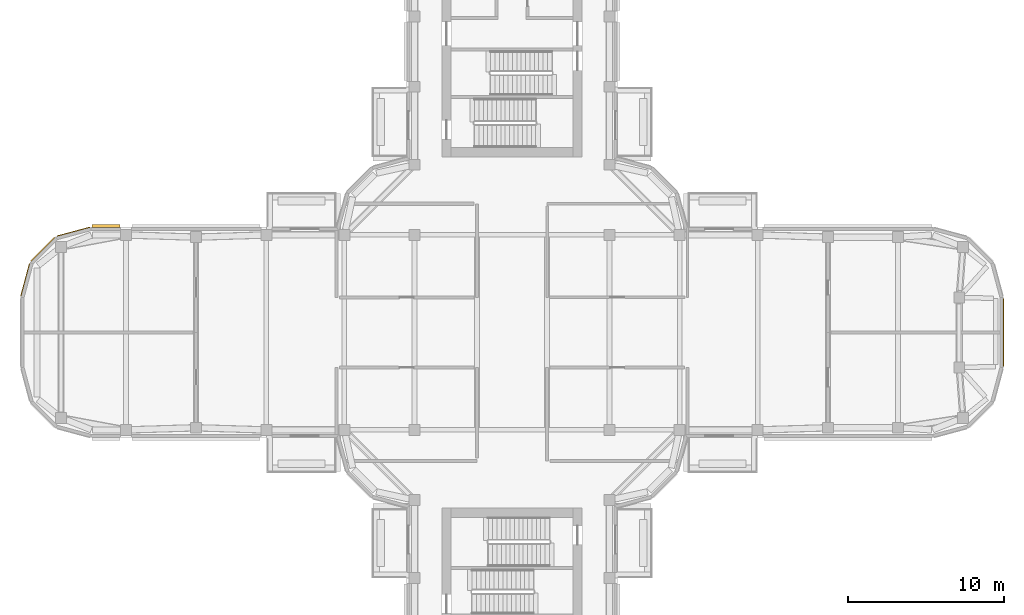
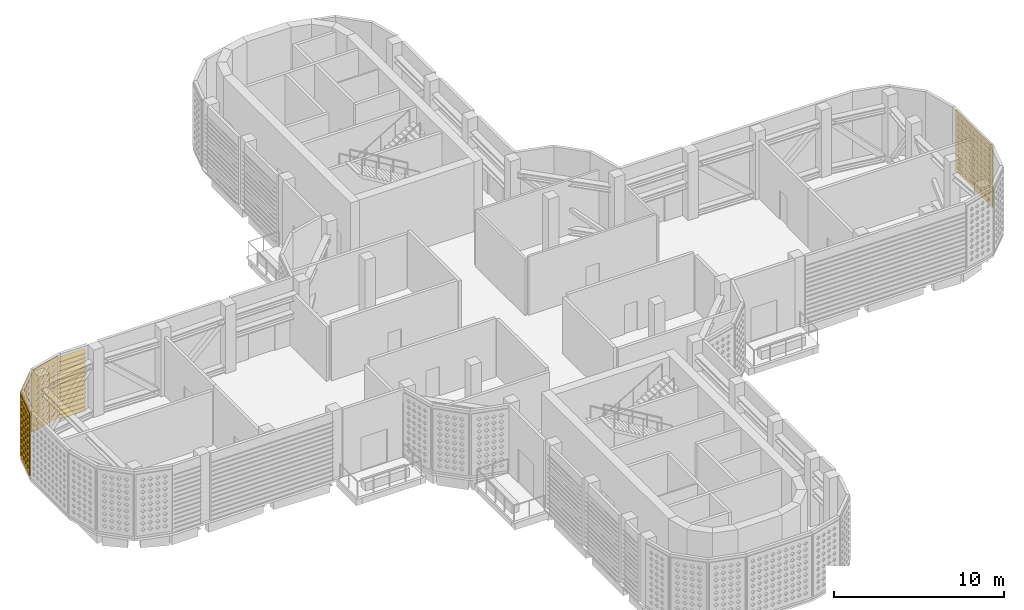
# One storey, part 15 of 20: 4 coverings, 1 shading device.
"""IFC4 building model written with IfcOpenShell, lengths in metres."""

from ifc_helpers import new_model, si_unit, direction, frame, origin, place, context, subcontext, project, spatial, polyline, outline, extrude, source, transform, mapped, material, layer, layer_set, type_object, element, save


model = new_model("IFC4")

# Units and contexts
model_context = context("Model", 3, precision=1e-05, world=origin(), true_north=direction((0.0, 1.0)))
body_context = subcontext(model_context, "Body", "Model", "MODEL_VIEW")
ifc_project = project(units=[si_unit("LENGTHUNIT", "METRE"), si_unit("AREAUNIT", "SQUARE_METRE"), si_unit("VOLUMEUNIT", "CUBIC_METRE"), si_unit("PLANEANGLEUNIT", "RADIAN"), si_unit("MASSUNIT", "GRAM", prefix="KILO")], contexts=[model_context])

# Site, building, storey
site_placement = place(None, origin())
site = spatial("IfcSite", under=ifc_project, at=site_placement, CompositionType="ELEMENT")
building_placement = place(site_placement, origin())
building = spatial("IfcBuilding", under=site, at=building_placement, Name="Zarbagh Exchange Tower", CompositionType="ELEMENT")
storey_placement = place(building_placement, frame((0.0, 0.0, 244.800048828125)))
storey = spatial("IfcBuildingStorey", under=building, at=storey_placement, Name="L60", CompositionType="ELEMENT", Elevation=244.800048828125)

# Coverings
ifc_material_1 = material(Name="Glass-fibre reinforced concrete GFRC C50/60", Category="concrete")
ifc_layer = layer(ifc_material_1, 0.06005859375)
ifc_layer_set = layer_set([ifc_layer], Name="SCREEN jali panel, GFRC")
covering_type = type_object("IfcCoveringType", Name="SCREEN jali panel, GFRC", PredefinedType="CLADDING", material=ifc_layer_set)
shared_shape_1 = source(origin(), body_context, "Body", "SweptSolid", [
    extrude(outline(polyline([(0.0, 0.0), (2.1650390625, 0.0), (2.1650390625, 4.449951171875), (0.0, 4.449951171875), (0.0, 0.0)]), holes=[polyline([(0.257568359375, 0.425048828125), (0.407470703125, 0.27490234375), (0.5576171875, 0.425048828125), (0.407470703125, 0.574951171875), (0.257568359375, 0.425048828125)]), polyline([(0.257568359375, 0.875), (0.407470703125, 0.72509765625), (0.5576171875, 0.875), (0.407470703125, 1.02490234375), (0.257568359375, 0.875)]), polyline([(0.257568359375, 1.324951171875), (0.407470703125, 1.175048828125), (0.5576171875, 1.324951171875), (0.407470703125, 1.47509765625), (0.257568359375, 1.324951171875)]), polyline([(0.257568359375, 1.77490234375), (0.407470703125, 1.625), (0.5576171875, 1.77490234375), (0.407470703125, 1.925048828125), (0.257568359375, 1.77490234375)]), polyline([(0.257568359375, 2.22509765625), (0.407470703125, 2.074951171875), (0.5576171875, 2.22509765625), (0.407470703125, 2.375), (0.257568359375, 2.22509765625)]), polyline([(0.257568359375, 2.675048828125), (0.407470703125, 2.52490234375), (0.5576171875, 2.675048828125), (0.407470703125, 2.824951171875), (0.257568359375, 2.675048828125)]), polyline([(0.257568359375, 3.125), (0.407470703125, 2.97509765625), (0.5576171875, 3.125), (0.407470703125, 3.27490234375), (0.257568359375, 3.125)]), polyline([(0.257568359375, 3.574951171875), (0.407470703125, 3.425048828125), (0.5576171875, 3.574951171875), (0.407470703125, 3.72509765625), (0.257568359375, 3.574951171875)]), polyline([(0.257568359375, 4.02490234375), (0.407470703125, 3.875), (0.5576171875, 4.02490234375), (0.407470703125, 4.175048828125), (0.257568359375, 4.02490234375)]), polyline([(0.70751953125, 0.425048828125), (0.857421875, 0.27490234375), (1.007568359375, 0.425048828125), (0.857421875, 0.574951171875), (0.70751953125, 0.425048828125)]), polyline([(0.70751953125, 0.875), (0.857421875, 0.72509765625), (1.007568359375, 0.875), (0.857421875, 1.02490234375), (0.70751953125, 0.875)]), polyline([(0.70751953125, 1.324951171875), (0.857421875, 1.175048828125), (1.007568359375, 1.324951171875), (0.857421875, 1.47509765625), (0.70751953125, 1.324951171875)]), polyline([(0.70751953125, 1.77490234375), (0.857421875, 1.625), (1.007568359375, 1.77490234375), (0.857421875, 1.925048828125), (0.70751953125, 1.77490234375)]), polyline([(0.70751953125, 2.22509765625), (0.857421875, 2.074951171875), (1.007568359375, 2.22509765625), (0.857421875, 2.375), (0.70751953125, 2.22509765625)]), polyline([(0.70751953125, 2.675048828125), (0.857421875, 2.52490234375), (1.007568359375, 2.675048828125), (0.857421875, 2.824951171875), (0.70751953125, 2.675048828125)]), polyline([(0.70751953125, 3.125), (0.857421875, 2.97509765625), (1.007568359375, 3.125), (0.857421875, 3.27490234375), (0.70751953125, 3.125)]), polyline([(0.70751953125, 3.574951171875), (0.857421875, 3.425048828125), (1.007568359375, 3.574951171875), (0.857421875, 3.72509765625), (0.70751953125, 3.574951171875)]), polyline([(0.70751953125, 4.02490234375), (0.857421875, 3.875), (1.007568359375, 4.02490234375), (0.857421875, 4.175048828125), (0.70751953125, 4.02490234375)]), polyline([(1.157470703125, 0.425048828125), (1.3076171875, 0.27490234375), (1.45751953125, 0.425048828125), (1.3076171875, 0.574951171875), (1.157470703125, 0.425048828125)]), polyline([(1.157470703125, 0.875), (1.3076171875, 0.72509765625), (1.45751953125, 0.875), (1.3076171875, 1.02490234375), (1.157470703125, 0.875)]), polyline([(1.157470703125, 1.324951171875), (1.3076171875, 1.175048828125), (1.45751953125, 1.324951171875), (1.3076171875, 1.47509765625), (1.157470703125, 1.324951171875)]), polyline([(1.157470703125, 1.77490234375), (1.3076171875, 1.625), (1.45751953125, 1.77490234375), (1.3076171875, 1.925048828125), (1.157470703125, 1.77490234375)]), polyline([(1.157470703125, 2.22509765625), (1.3076171875, 2.074951171875), (1.45751953125, 2.22509765625), (1.3076171875, 2.375), (1.157470703125, 2.22509765625)]), polyline([(1.157470703125, 2.675048828125), (1.3076171875, 2.52490234375), (1.45751953125, 2.675048828125), (1.3076171875, 2.824951171875), (1.157470703125, 2.675048828125)]), polyline([(1.157470703125, 3.125), (1.3076171875, 2.97509765625), (1.45751953125, 3.125), (1.3076171875, 3.27490234375), (1.157470703125, 3.125)]), polyline([(1.157470703125, 3.574951171875), (1.3076171875, 3.425048828125), (1.45751953125, 3.574951171875), (1.3076171875, 3.72509765625), (1.157470703125, 3.574951171875)]), polyline([(1.157470703125, 4.02490234375), (1.3076171875, 3.875), (1.45751953125, 4.02490234375), (1.3076171875, 4.175048828125), (1.157470703125, 4.02490234375)]), polyline([(1.607421875, 0.425048828125), (1.757568359375, 0.27490234375), (1.907470703125, 0.425048828125), (1.757568359375, 0.574951171875), (1.607421875, 0.425048828125)]), polyline([(1.607421875, 0.875), (1.757568359375, 0.72509765625), (1.907470703125, 0.875), (1.757568359375, 1.02490234375), (1.607421875, 0.875)]), polyline([(1.607421875, 1.324951171875), (1.757568359375, 1.175048828125), (1.907470703125, 1.324951171875), (1.757568359375, 1.47509765625), (1.607421875, 1.324951171875)]), polyline([(1.607421875, 1.77490234375), (1.757568359375, 1.625), (1.907470703125, 1.77490234375), (1.757568359375, 1.925048828125), (1.607421875, 1.77490234375)]), polyline([(1.607421875, 2.22509765625), (1.757568359375, 2.074951171875), (1.907470703125, 2.22509765625), (1.757568359375, 2.375), (1.607421875, 2.22509765625)]), polyline([(1.607421875, 2.675048828125), (1.757568359375, 2.52490234375), (1.907470703125, 2.675048828125), (1.757568359375, 2.824951171875), (1.607421875, 2.675048828125)]), polyline([(1.607421875, 3.125), (1.757568359375, 2.97509765625), (1.907470703125, 3.125), (1.757568359375, 3.27490234375), (1.607421875, 3.125)]), polyline([(1.607421875, 3.574951171875), (1.757568359375, 3.425048828125), (1.907470703125, 3.574951171875), (1.757568359375, 3.72509765625), (1.607421875, 3.574951171875)]), polyline([(1.607421875, 4.02490234375), (1.757568359375, 3.875), (1.907470703125, 4.02490234375), (1.757568359375, 4.175048828125), (1.607421875, 4.02490234375)])]), origin(), (0.0, 0.0, 1.0), 0.06005859375),
])
placement = place(storey_placement, origin())
element("IfcCovering", 1, at=placement, inside=storey, type_object=covering_type, Name="JS59 jali screen", PredefinedType="CLADDING", context=body_context, shape_type="MappedRepresentation", body=[
    mapped(shared_shape_1, transform((-29.2939453125, 6.074951171875, 0.199951171875), x_axis=(-0.707106781187, -0.707106781187, 0.0), y_axis=(0.0, 0.0, 1.0), z_axis=(-0.707106781187, 0.707106781187, 0.0))),
])
shared_shape_2 = source(origin(), body_context, "Body", "SweptSolid", [
    extrude(outline(polyline([(0.0, 0.0), (2.181396484375, 0.0), (2.181396484375, 4.449951171875), (0.0, 4.449951171875), (0.0, 0.0)]), holes=[polyline([(0.265625, 0.425048828125), (0.415771484375, 0.27490234375), (0.565673828125, 0.425048828125), (0.415771484375, 0.574951171875), (0.265625, 0.425048828125)]), polyline([(0.265625, 0.875), (0.415771484375, 0.72509765625), (0.565673828125, 0.875), (0.415771484375, 1.02490234375), (0.265625, 0.875)]), polyline([(0.265625, 1.324951171875), (0.415771484375, 1.175048828125), (0.565673828125, 1.324951171875), (0.415771484375, 1.47509765625), (0.265625, 1.324951171875)]), polyline([(0.265625, 1.77490234375), (0.415771484375, 1.625), (0.565673828125, 1.77490234375), (0.415771484375, 1.925048828125), (0.265625, 1.77490234375)]), polyline([(0.265625, 2.22509765625), (0.415771484375, 2.074951171875), (0.565673828125, 2.22509765625), (0.415771484375, 2.375), (0.265625, 2.22509765625)]), polyline([(0.265625, 2.675048828125), (0.415771484375, 2.52490234375), (0.565673828125, 2.675048828125), (0.415771484375, 2.824951171875), (0.265625, 2.675048828125)]), polyline([(0.265625, 3.125), (0.415771484375, 2.97509765625), (0.565673828125, 3.125), (0.415771484375, 3.27490234375), (0.265625, 3.125)]), polyline([(0.265625, 3.574951171875), (0.415771484375, 3.425048828125), (0.565673828125, 3.574951171875), (0.415771484375, 3.72509765625), (0.265625, 3.574951171875)]), polyline([(0.265625, 4.02490234375), (0.415771484375, 3.875), (0.565673828125, 4.02490234375), (0.415771484375, 4.175048828125), (0.265625, 4.02490234375)]), polyline([(0.7158203125, 0.425048828125), (0.86572265625, 0.27490234375), (1.015625, 0.425048828125), (0.86572265625, 0.574951171875), (0.7158203125, 0.425048828125)]), polyline([(0.7158203125, 0.875), (0.86572265625, 0.72509765625), (1.015625, 0.875), (0.86572265625, 1.02490234375), (0.7158203125, 0.875)]), polyline([(0.7158203125, 1.324951171875), (0.86572265625, 1.175048828125), (1.015625, 1.324951171875), (0.86572265625, 1.47509765625), (0.7158203125, 1.324951171875)]), polyline([(0.7158203125, 1.77490234375), (0.86572265625, 1.625), (1.015625, 1.77490234375), (0.86572265625, 1.925048828125), (0.7158203125, 1.77490234375)]), polyline([(0.7158203125, 2.22509765625), (0.86572265625, 2.074951171875), (1.015625, 2.22509765625), (0.86572265625, 2.375), (0.7158203125, 2.22509765625)]), polyline([(0.7158203125, 2.675048828125), (0.86572265625, 2.52490234375), (1.015625, 2.675048828125), (0.86572265625, 2.824951171875), (0.7158203125, 2.675048828125)]), polyline([(0.7158203125, 3.125), (0.86572265625, 2.97509765625), (1.015625, 3.125), (0.86572265625, 3.27490234375), (0.7158203125, 3.125)]), polyline([(0.7158203125, 3.574951171875), (0.86572265625, 3.425048828125), (1.015625, 3.574951171875), (0.86572265625, 3.72509765625), (0.7158203125, 3.574951171875)]), polyline([(0.7158203125, 4.02490234375), (0.86572265625, 3.875), (1.015625, 4.02490234375), (0.86572265625, 4.175048828125), (0.7158203125, 4.02490234375)]), polyline([(1.165771484375, 0.425048828125), (1.315673828125, 0.27490234375), (1.4658203125, 0.425048828125), (1.315673828125, 0.574951171875), (1.165771484375, 0.425048828125)]), polyline([(1.165771484375, 0.875), (1.315673828125, 0.72509765625), (1.4658203125, 0.875), (1.315673828125, 1.02490234375), (1.165771484375, 0.875)]), polyline([(1.165771484375, 1.324951171875), (1.315673828125, 1.175048828125), (1.4658203125, 1.324951171875), (1.315673828125, 1.47509765625), (1.165771484375, 1.324951171875)]), polyline([(1.165771484375, 1.77490234375), (1.315673828125, 1.625), (1.4658203125, 1.77490234375), (1.315673828125, 1.925048828125), (1.165771484375, 1.77490234375)]), polyline([(1.165771484375, 2.22509765625), (1.315673828125, 2.074951171875), (1.4658203125, 2.22509765625), (1.315673828125, 2.375), (1.165771484375, 2.22509765625)]), polyline([(1.165771484375, 2.675048828125), (1.315673828125, 2.52490234375), (1.4658203125, 2.675048828125), (1.315673828125, 2.824951171875), (1.165771484375, 2.675048828125)]), polyline([(1.165771484375, 3.125), (1.315673828125, 2.97509765625), (1.4658203125, 3.125), (1.315673828125, 3.27490234375), (1.165771484375, 3.125)]), polyline([(1.165771484375, 3.574951171875), (1.315673828125, 3.425048828125), (1.4658203125, 3.574951171875), (1.315673828125, 3.72509765625), (1.165771484375, 3.574951171875)]), polyline([(1.165771484375, 4.02490234375), (1.315673828125, 3.875), (1.4658203125, 4.02490234375), (1.315673828125, 4.175048828125), (1.165771484375, 4.02490234375)]), polyline([(1.61572265625, 0.425048828125), (1.765625, 0.27490234375), (1.915771484375, 0.425048828125), (1.765625, 0.574951171875), (1.61572265625, 0.425048828125)]), polyline([(1.61572265625, 0.875), (1.765625, 0.72509765625), (1.915771484375, 0.875), (1.765625, 1.02490234375), (1.61572265625, 0.875)]), polyline([(1.61572265625, 1.324951171875), (1.765625, 1.175048828125), (1.915771484375, 1.324951171875), (1.765625, 1.47509765625), (1.61572265625, 1.324951171875)]), polyline([(1.61572265625, 1.77490234375), (1.765625, 1.625), (1.915771484375, 1.77490234375), (1.765625, 1.925048828125), (1.61572265625, 1.77490234375)]), polyline([(1.61572265625, 2.22509765625), (1.765625, 2.074951171875), (1.915771484375, 2.22509765625), (1.765625, 2.375), (1.61572265625, 2.22509765625)]), polyline([(1.61572265625, 2.675048828125), (1.765625, 2.52490234375), (1.915771484375, 2.675048828125), (1.765625, 2.824951171875), (1.61572265625, 2.675048828125)]), polyline([(1.61572265625, 3.125), (1.765625, 2.97509765625), (1.915771484375, 3.125), (1.765625, 3.27490234375), (1.61572265625, 3.125)]), polyline([(1.61572265625, 3.574951171875), (1.765625, 3.425048828125), (1.915771484375, 3.574951171875), (1.765625, 3.72509765625), (1.61572265625, 3.574951171875)]), polyline([(1.61572265625, 4.02490234375), (1.765625, 3.875), (1.915771484375, 4.02490234375), (1.765625, 4.175048828125), (1.61572265625, 4.02490234375)])]), origin(), (0.0, 0.0, 1.0), 0.06005859375),
])
element("IfcCovering", 2, at=placement, inside=storey, type_object=covering_type, Name="JS58 jali screen", PredefinedType="CLADDING", context=body_context, shape_type="MappedRepresentation", body=[
    mapped(shared_shape_2, transform((-27.058349609375, 6.713623046875, 0.199951171875), x_axis=(-0.965924215207, -0.258825057666, 0.0), y_axis=(0.0, 0.0, 1.0), z_axis=(-0.258825057666, 0.965924215207, 0.0))),
])
element("IfcCovering", 3, at=placement, inside=storey, type_object=covering_type, Name="JS60 jali screen", PredefinedType="CLADDING", context=body_context, shape_type="MappedRepresentation", body=[
    mapped(shared_shape_2, transform((-30.89892578125, 4.41552734375, 0.199951171875), x_axis=(-0.258825057666, -0.965924215207, 0.0), y_axis=(0.0, 0.0, 1.0), z_axis=(-0.965924215207, 0.258825057666, 0.0))),
])

# Shading device
ifc_material_2 = material(Name="Anodised aluminium", Category="aluminium")
shading_device_type = type_object("IfcShadingDeviceType", Name="LOUVRE plant louvre, fixed blades", PredefinedType="USERDEFINED", material=ifc_material_2)
shared_shape_3 = source(origin(), body_context, "Body", "SweptSolid", [
    extrude(outline(polyline([(0.0, 0.199951171875), (0.199951171875, 0.0), (0.199951171875, -0.02001953125), (0.0, 0.179931640625), (0.0, 0.199951171875)])), origin(), (0.0, 0.0, 1.0), 1.794189453125),
])
element("IfcShadingDevice", 4, at=placement, inside=storey, type_object=shading_device_type, Name="LV14 plant louvre", ObjectType="LOUVRE", PredefinedType="USERDEFINED", context=body_context, shape_type="MappedRepresentation", body=[
    mapped(shared_shape_3, transform((-25.14013671875, 6.72998046875, 0.199951171875), x_axis=(0.0, 1.0, 0.0), y_axis=(0.0, 0.0, -1.0), z_axis=(-1.0, 0.0, 0.0))),
    mapped(shared_shape_3, transform((-25.14013671875, 6.72998046875, 0.517822265625), x_axis=(0.0, 1.0, 0.0), y_axis=(0.0, 0.0, -1.0), z_axis=(-1.0, 0.0, 0.0))),
    mapped(shared_shape_3, transform((-25.14013671875, 6.72998046875, 0.835693359375), x_axis=(0.0, 1.0, 0.0), y_axis=(0.0, 0.0, -1.0), z_axis=(-1.0, 0.0, 0.0))),
    mapped(shared_shape_3, transform((-25.14013671875, 6.72998046875, 1.153564453125), x_axis=(0.0, 1.0, 0.0), y_axis=(0.0, 0.0, -1.0), z_axis=(-1.0, 0.0, 0.0))),
    mapped(shared_shape_3, transform((-25.14013671875, 6.72998046875, 1.471435546875), x_axis=(0.0, 1.0, 0.0), y_axis=(0.0, 0.0, -1.0), z_axis=(-1.0, 0.0, 0.0))),
    mapped(shared_shape_3, transform((-25.14013671875, 6.72998046875, 1.789306640625), x_axis=(0.0, 1.0, 0.0), y_axis=(0.0, 0.0, -1.0), z_axis=(-1.0, 0.0, 0.0))),
    mapped(shared_shape_3, transform((-25.14013671875, 6.72998046875, 2.107177734375), x_axis=(0.0, 1.0, 0.0), y_axis=(0.0, 0.0, -1.0), z_axis=(-1.0, 0.0, 0.0))),
    mapped(shared_shape_3, transform((-25.14013671875, 6.72998046875, 2.425048828125), x_axis=(0.0, 1.0, 0.0), y_axis=(0.0, 0.0, -1.0), z_axis=(-1.0, 0.0, 0.0))),
    mapped(shared_shape_3, transform((-25.14013671875, 6.72998046875, 2.742919921875), x_axis=(0.0, 1.0, 0.0), y_axis=(0.0, 0.0, -1.0), z_axis=(-1.0, 0.0, 0.0))),
    mapped(shared_shape_3, transform((-25.14013671875, 6.72998046875, 3.060546875), x_axis=(0.0, 1.0, 0.0), y_axis=(0.0, 0.0, -1.0), z_axis=(-1.0, 0.0, 0.0))),
    mapped(shared_shape_3, transform((-25.14013671875, 6.72998046875, 3.37841796875), x_axis=(0.0, 1.0, 0.0), y_axis=(0.0, 0.0, -1.0), z_axis=(-1.0, 0.0, 0.0))),
    mapped(shared_shape_3, transform((-25.14013671875, 6.72998046875, 3.6962890625), x_axis=(0.0, 1.0, 0.0), y_axis=(0.0, 0.0, -1.0), z_axis=(-1.0, 0.0, 0.0))),
    mapped(shared_shape_3, transform((-25.14013671875, 6.72998046875, 4.01416015625), x_axis=(0.0, 1.0, 0.0), y_axis=(0.0, 0.0, -1.0), z_axis=(-1.0, 0.0, 0.0))),
    mapped(shared_shape_3, transform((-25.14013671875, 6.72998046875, 4.33203125), x_axis=(0.0, 1.0, 0.0), y_axis=(0.0, 0.0, -1.0), z_axis=(-1.0, 0.0, 0.0))),
])

# Covering
shared_shape_4 = source(origin(), body_context, "Body", "SweptSolid", [
    extrude(outline(polyline([(0.0, 0.0), (4.368408203125, 0.0), (4.368408203125, 4.449951171875), (0.0, 4.449951171875), (0.0, 0.0)]), holes=[polyline([(0.234130859375, 0.425048828125), (0.38427734375, 0.27490234375), (0.5341796875, 0.425048828125), (0.38427734375, 0.574951171875), (0.234130859375, 0.425048828125)]), polyline([(0.234130859375, 0.875), (0.38427734375, 0.72509765625), (0.5341796875, 0.875), (0.38427734375, 1.02490234375), (0.234130859375, 0.875)]), polyline([(0.234130859375, 1.324951171875), (0.38427734375, 1.175048828125), (0.5341796875, 1.324951171875), (0.38427734375, 1.47509765625), (0.234130859375, 1.324951171875)]), polyline([(0.234130859375, 1.77490234375), (0.38427734375, 1.625), (0.5341796875, 1.77490234375), (0.38427734375, 1.925048828125), (0.234130859375, 1.77490234375)]), polyline([(0.234130859375, 2.22509765625), (0.38427734375, 2.074951171875), (0.5341796875, 2.22509765625), (0.38427734375, 2.375), (0.234130859375, 2.22509765625)]), polyline([(0.234130859375, 2.675048828125), (0.38427734375, 2.52490234375), (0.5341796875, 2.675048828125), (0.38427734375, 2.824951171875), (0.234130859375, 2.675048828125)]), polyline([(0.234130859375, 3.125), (0.38427734375, 2.97509765625), (0.5341796875, 3.125), (0.38427734375, 3.27490234375), (0.234130859375, 3.125)]), polyline([(0.234130859375, 3.574951171875), (0.38427734375, 3.425048828125), (0.5341796875, 3.574951171875), (0.38427734375, 3.72509765625), (0.234130859375, 3.574951171875)]), polyline([(0.234130859375, 4.02490234375), (0.38427734375, 3.875), (0.5341796875, 4.02490234375), (0.38427734375, 4.175048828125), (0.234130859375, 4.02490234375)]), polyline([(0.68408203125, 0.425048828125), (0.834228515625, 0.27490234375), (0.984130859375, 0.425048828125), (0.834228515625, 0.574951171875), (0.68408203125, 0.425048828125)]), polyline([(0.68408203125, 0.875), (0.834228515625, 0.72509765625), (0.984130859375, 0.875), (0.834228515625, 1.02490234375), (0.68408203125, 0.875)]), polyline([(0.68408203125, 1.324951171875), (0.834228515625, 1.175048828125), (0.984130859375, 1.324951171875), (0.834228515625, 1.47509765625), (0.68408203125, 1.324951171875)]), polyline([(0.68408203125, 1.77490234375), (0.834228515625, 1.625), (0.984130859375, 1.77490234375), (0.834228515625, 1.925048828125), (0.68408203125, 1.77490234375)]), polyline([(0.68408203125, 2.22509765625), (0.834228515625, 2.074951171875), (0.984130859375, 2.22509765625), (0.834228515625, 2.375), (0.68408203125, 2.22509765625)]), polyline([(0.68408203125, 2.675048828125), (0.834228515625, 2.52490234375), (0.984130859375, 2.675048828125), (0.834228515625, 2.824951171875), (0.68408203125, 2.675048828125)]), polyline([(0.68408203125, 3.125), (0.834228515625, 2.97509765625), (0.984130859375, 3.125), (0.834228515625, 3.27490234375), (0.68408203125, 3.125)]), polyline([(0.68408203125, 3.574951171875), (0.834228515625, 3.425048828125), (0.984130859375, 3.574951171875), (0.834228515625, 3.72509765625), (0.68408203125, 3.574951171875)]), polyline([(0.68408203125, 4.02490234375), (0.834228515625, 3.875), (0.984130859375, 4.02490234375), (0.834228515625, 4.175048828125), (0.68408203125, 4.02490234375)]), polyline([(1.13427734375, 0.425048828125), (1.2841796875, 0.27490234375), (1.43408203125, 0.425048828125), (1.2841796875, 0.574951171875), (1.13427734375, 0.425048828125)]), polyline([(1.13427734375, 0.875), (1.2841796875, 0.72509765625), (1.43408203125, 0.875), (1.2841796875, 1.02490234375), (1.13427734375, 0.875)]), polyline([(1.13427734375, 1.324951171875), (1.2841796875, 1.175048828125), (1.43408203125, 1.324951171875), (1.2841796875, 1.47509765625), (1.13427734375, 1.324951171875)]), polyline([(1.13427734375, 1.77490234375), (1.2841796875, 1.625), (1.43408203125, 1.77490234375), (1.2841796875, 1.925048828125), (1.13427734375, 1.77490234375)]), polyline([(1.13427734375, 2.22509765625), (1.2841796875, 2.074951171875), (1.43408203125, 2.22509765625), (1.2841796875, 2.375), (1.13427734375, 2.22509765625)]), polyline([(1.13427734375, 2.675048828125), (1.2841796875, 2.52490234375), (1.43408203125, 2.675048828125), (1.2841796875, 2.824951171875), (1.13427734375, 2.675048828125)]), polyline([(1.13427734375, 3.125), (1.2841796875, 2.97509765625), (1.43408203125, 3.125), (1.2841796875, 3.27490234375), (1.13427734375, 3.125)]), polyline([(1.13427734375, 3.574951171875), (1.2841796875, 3.425048828125), (1.43408203125, 3.574951171875), (1.2841796875, 3.72509765625), (1.13427734375, 3.574951171875)]), polyline([(1.13427734375, 4.02490234375), (1.2841796875, 3.875), (1.43408203125, 4.02490234375), (1.2841796875, 4.175048828125), (1.13427734375, 4.02490234375)]), polyline([(1.584228515625, 0.425048828125), (1.734130859375, 0.27490234375), (1.88427734375, 0.425048828125), (1.734130859375, 0.574951171875), (1.584228515625, 0.425048828125)]), polyline([(1.584228515625, 0.875), (1.734130859375, 0.72509765625), (1.88427734375, 0.875), (1.734130859375, 1.02490234375), (1.584228515625, 0.875)]), polyline([(1.584228515625, 1.324951171875), (1.734130859375, 1.175048828125), (1.88427734375, 1.324951171875), (1.734130859375, 1.47509765625), (1.584228515625, 1.324951171875)]), polyline([(1.584228515625, 1.77490234375), (1.734130859375, 1.625), (1.88427734375, 1.77490234375), (1.734130859375, 1.925048828125), (1.584228515625, 1.77490234375)]), polyline([(1.584228515625, 2.22509765625), (1.734130859375, 2.074951171875), (1.88427734375, 2.22509765625), (1.734130859375, 2.375), (1.584228515625, 2.22509765625)]), polyline([(1.584228515625, 2.675048828125), (1.734130859375, 2.52490234375), (1.88427734375, 2.675048828125), (1.734130859375, 2.824951171875), (1.584228515625, 2.675048828125)]), polyline([(1.584228515625, 3.125), (1.734130859375, 2.97509765625), (1.88427734375, 3.125), (1.734130859375, 3.27490234375), (1.584228515625, 3.125)]), polyline([(1.584228515625, 3.574951171875), (1.734130859375, 3.425048828125), (1.88427734375, 3.574951171875), (1.734130859375, 3.72509765625), (1.584228515625, 3.574951171875)]), polyline([(1.584228515625, 4.02490234375), (1.734130859375, 3.875), (1.88427734375, 4.02490234375), (1.734130859375, 4.175048828125), (1.584228515625, 4.02490234375)]), polyline([(2.0341796875, 0.425048828125), (2.18408203125, 0.27490234375), (2.334228515625, 0.425048828125), (2.18408203125, 0.574951171875), (2.0341796875, 0.425048828125)]), polyline([(2.0341796875, 0.875), (2.18408203125, 0.72509765625), (2.334228515625, 0.875), (2.18408203125, 1.02490234375), (2.0341796875, 0.875)]), polyline([(2.0341796875, 1.324951171875), (2.18408203125, 1.175048828125), (2.334228515625, 1.324951171875), (2.18408203125, 1.47509765625), (2.0341796875, 1.324951171875)]), polyline([(2.0341796875, 1.77490234375), (2.18408203125, 1.625), (2.334228515625, 1.77490234375), (2.18408203125, 1.925048828125), (2.0341796875, 1.77490234375)]), polyline([(2.0341796875, 2.22509765625), (2.18408203125, 2.074951171875), (2.334228515625, 2.22509765625), (2.18408203125, 2.375), (2.0341796875, 2.22509765625)]), polyline([(2.0341796875, 2.675048828125), (2.18408203125, 2.52490234375), (2.334228515625, 2.675048828125), (2.18408203125, 2.824951171875), (2.0341796875, 2.675048828125)]), polyline([(2.0341796875, 3.125), (2.18408203125, 2.97509765625), (2.334228515625, 3.125), (2.18408203125, 3.27490234375), (2.0341796875, 3.125)]), polyline([(2.0341796875, 3.574951171875), (2.18408203125, 3.425048828125), (2.334228515625, 3.574951171875), (2.18408203125, 3.72509765625), (2.0341796875, 3.574951171875)]), polyline([(2.0341796875, 4.02490234375), (2.18408203125, 3.875), (2.334228515625, 4.02490234375), (2.18408203125, 4.175048828125), (2.0341796875, 4.02490234375)]), polyline([(2.484130859375, 0.425048828125), (2.63427734375, 0.27490234375), (2.7841796875, 0.425048828125), (2.63427734375, 0.574951171875), (2.484130859375, 0.425048828125)]), polyline([(2.484130859375, 0.875), (2.63427734375, 0.72509765625), (2.7841796875, 0.875), (2.63427734375, 1.02490234375), (2.484130859375, 0.875)]), polyline([(2.484130859375, 1.324951171875), (2.63427734375, 1.175048828125), (2.7841796875, 1.324951171875), (2.63427734375, 1.47509765625), (2.484130859375, 1.324951171875)]), polyline([(2.484130859375, 1.77490234375), (2.63427734375, 1.625), (2.7841796875, 1.77490234375), (2.63427734375, 1.925048828125), (2.484130859375, 1.77490234375)]), polyline([(2.484130859375, 2.22509765625), (2.63427734375, 2.074951171875), (2.7841796875, 2.22509765625), (2.63427734375, 2.375), (2.484130859375, 2.22509765625)]), polyline([(2.484130859375, 2.675048828125), (2.63427734375, 2.52490234375), (2.7841796875, 2.675048828125), (2.63427734375, 2.824951171875), (2.484130859375, 2.675048828125)]), polyline([(2.484130859375, 3.125), (2.63427734375, 2.97509765625), (2.7841796875, 3.125), (2.63427734375, 3.27490234375), (2.484130859375, 3.125)]), polyline([(2.484130859375, 3.574951171875), (2.63427734375, 3.425048828125), (2.7841796875, 3.574951171875), (2.63427734375, 3.72509765625), (2.484130859375, 3.574951171875)]), polyline([(2.484130859375, 4.02490234375), (2.63427734375, 3.875), (2.7841796875, 4.02490234375), (2.63427734375, 4.175048828125), (2.484130859375, 4.02490234375)]), polyline([(2.93408203125, 0.425048828125), (3.084228515625, 0.27490234375), (3.234130859375, 0.425048828125), (3.084228515625, 0.574951171875), (2.93408203125, 0.425048828125)]), polyline([(2.93408203125, 0.875), (3.084228515625, 0.72509765625), (3.234130859375, 0.875), (3.084228515625, 1.02490234375), (2.93408203125, 0.875)]), polyline([(2.93408203125, 1.324951171875), (3.084228515625, 1.175048828125), (3.234130859375, 1.324951171875), (3.084228515625, 1.47509765625), (2.93408203125, 1.324951171875)]), polyline([(2.93408203125, 1.77490234375), (3.084228515625, 1.625), (3.234130859375, 1.77490234375), (3.084228515625, 1.925048828125), (2.93408203125, 1.77490234375)]), polyline([(2.93408203125, 2.22509765625), (3.084228515625, 2.074951171875), (3.234130859375, 2.22509765625), (3.084228515625, 2.375), (2.93408203125, 2.22509765625)]), polyline([(2.93408203125, 2.675048828125), (3.084228515625, 2.52490234375), (3.234130859375, 2.675048828125), (3.084228515625, 2.824951171875), (2.93408203125, 2.675048828125)]), polyline([(2.93408203125, 3.125), (3.084228515625, 2.97509765625), (3.234130859375, 3.125), (3.084228515625, 3.27490234375), (2.93408203125, 3.125)]), polyline([(2.93408203125, 3.574951171875), (3.084228515625, 3.425048828125), (3.234130859375, 3.574951171875), (3.084228515625, 3.72509765625), (2.93408203125, 3.574951171875)]), polyline([(2.93408203125, 4.02490234375), (3.084228515625, 3.875), (3.234130859375, 4.02490234375), (3.084228515625, 4.175048828125), (2.93408203125, 4.02490234375)]), polyline([(3.38427734375, 0.425048828125), (3.5341796875, 0.27490234375), (3.68408203125, 0.425048828125), (3.5341796875, 0.574951171875), (3.38427734375, 0.425048828125)]), polyline([(3.38427734375, 0.875), (3.5341796875, 0.72509765625), (3.68408203125, 0.875), (3.5341796875, 1.02490234375), (3.38427734375, 0.875)]), polyline([(3.38427734375, 1.324951171875), (3.5341796875, 1.175048828125), (3.68408203125, 1.324951171875), (3.5341796875, 1.47509765625), (3.38427734375, 1.324951171875)]), polyline([(3.38427734375, 1.77490234375), (3.5341796875, 1.625), (3.68408203125, 1.77490234375), (3.5341796875, 1.925048828125), (3.38427734375, 1.77490234375)]), polyline([(3.38427734375, 2.22509765625), (3.5341796875, 2.074951171875), (3.68408203125, 2.22509765625), (3.5341796875, 2.375), (3.38427734375, 2.22509765625)]), polyline([(3.38427734375, 2.675048828125), (3.5341796875, 2.52490234375), (3.68408203125, 2.675048828125), (3.5341796875, 2.824951171875), (3.38427734375, 2.675048828125)]), polyline([(3.38427734375, 3.125), (3.5341796875, 2.97509765625), (3.68408203125, 3.125), (3.5341796875, 3.27490234375), (3.38427734375, 3.125)]), polyline([(3.38427734375, 3.574951171875), (3.5341796875, 3.425048828125), (3.68408203125, 3.574951171875), (3.5341796875, 3.72509765625), (3.38427734375, 3.574951171875)]), polyline([(3.38427734375, 4.02490234375), (3.5341796875, 3.875), (3.68408203125, 4.02490234375), (3.5341796875, 4.175048828125), (3.38427734375, 4.02490234375)]), polyline([(3.834228515625, 0.425048828125), (3.984130859375, 0.27490234375), (4.13427734375, 0.425048828125), (3.984130859375, 0.574951171875), (3.834228515625, 0.425048828125)]), polyline([(3.834228515625, 0.875), (3.984130859375, 0.72509765625), (4.13427734375, 0.875), (3.984130859375, 1.02490234375), (3.834228515625, 0.875)]), polyline([(3.834228515625, 1.324951171875), (3.984130859375, 1.175048828125), (4.13427734375, 1.324951171875), (3.984130859375, 1.47509765625), (3.834228515625, 1.324951171875)]), polyline([(3.834228515625, 1.77490234375), (3.984130859375, 1.625), (4.13427734375, 1.77490234375), (3.984130859375, 1.925048828125), (3.834228515625, 1.77490234375)]), polyline([(3.834228515625, 2.22509765625), (3.984130859375, 2.074951171875), (4.13427734375, 2.22509765625), (3.984130859375, 2.375), (3.834228515625, 2.22509765625)]), polyline([(3.834228515625, 2.675048828125), (3.984130859375, 2.52490234375), (4.13427734375, 2.675048828125), (3.984130859375, 2.824951171875), (3.834228515625, 2.675048828125)]), polyline([(3.834228515625, 3.125), (3.984130859375, 2.97509765625), (4.13427734375, 3.125), (3.984130859375, 3.27490234375), (3.834228515625, 3.125)]), polyline([(3.834228515625, 3.574951171875), (3.984130859375, 3.425048828125), (4.13427734375, 3.574951171875), (3.984130859375, 3.72509765625), (3.834228515625, 3.574951171875)]), polyline([(3.834228515625, 4.02490234375), (3.984130859375, 3.875), (4.13427734375, 4.02490234375), (3.984130859375, 4.175048828125), (3.834228515625, 4.02490234375)])]), origin(), (0.0, 0.0, 1.0), 0.06005859375),
])
element("IfcCovering", 5, at=placement, inside=storey, type_object=covering_type, Name="JS44 jali screen", PredefinedType="CLADDING", context=body_context, shape_type="MappedRepresentation", body=[
    mapped(shared_shape_4, transform((31.47998046875, -2.18408203125, 0.199951171875), x_axis=(0.0, 1.0, 0.0), y_axis=(0.0, 0.0, 1.0), z_axis=(1.0, 0.0, 0.0))),
])

save(model, "model.ifc")
